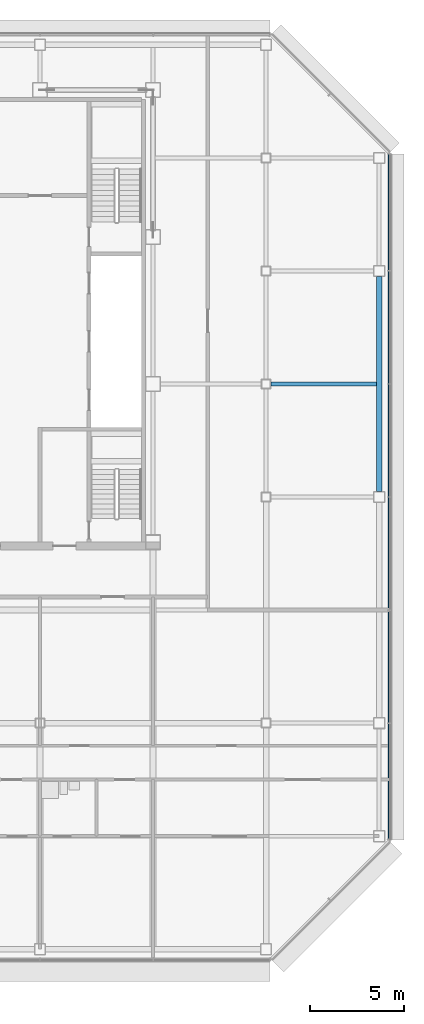
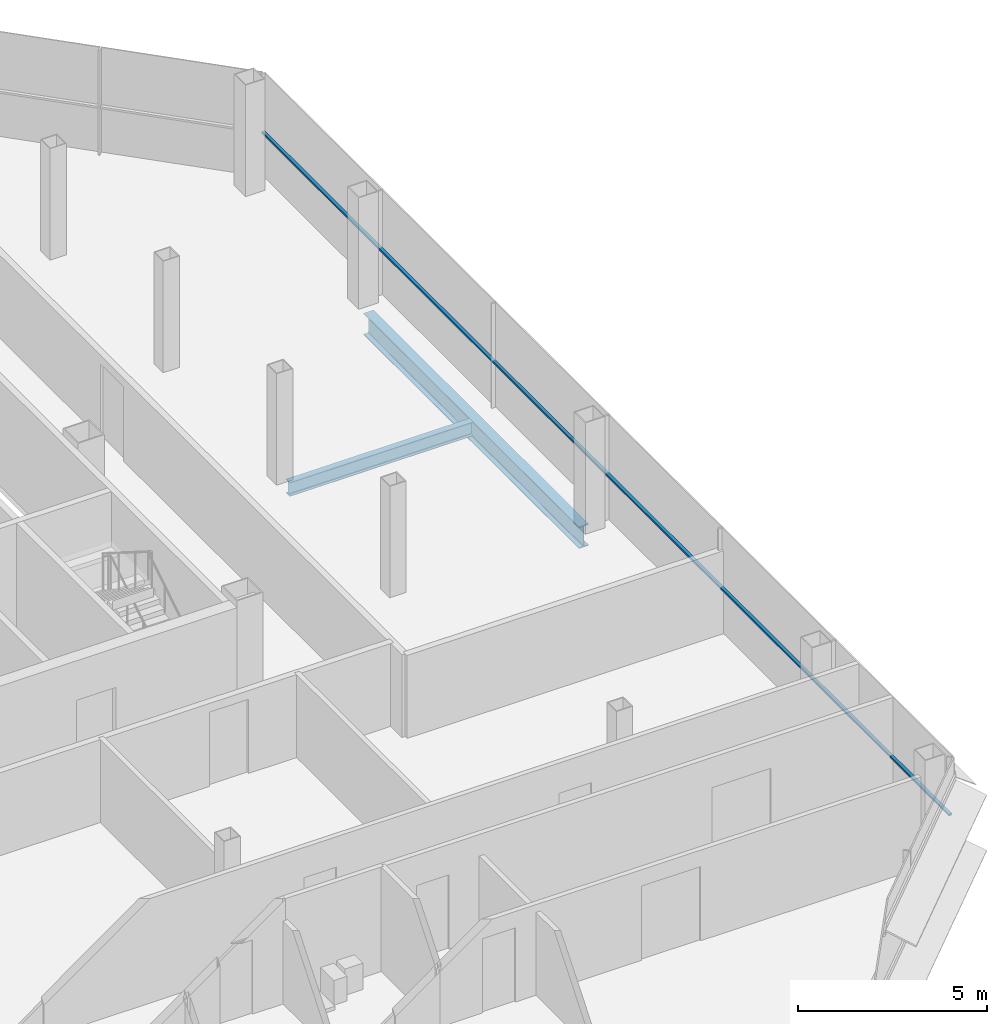
# One storey, part 18 of 28: 2 beams, 1 member, 1 element without a shape of its own.
"""IFC4 building model written with IfcOpenShell, lengths in metres."""

from ifc_helpers import new_model, si_unit, direction, frame, origin, origin_2d, place, context, subcontext, project, spatial, rectangle, i_section, extrude, material, material_profile, profile_set, type_object, element, aggregate, save


model = new_model("IFC4")

# Units and contexts
model_context = context("Model", 3, precision=1e-05, world=origin(), true_north=direction((0.0, 1.0)))
body_context = subcontext(model_context, "Body", "Model", "MODEL_VIEW")
ifc_project = project(units=[si_unit("LENGTHUNIT", "METRE"), si_unit("AREAUNIT", "SQUARE_METRE"), si_unit("VOLUMEUNIT", "CUBIC_METRE"), si_unit("PLANEANGLEUNIT", "RADIAN"), si_unit("MASSUNIT", "GRAM", prefix="KILO")], contexts=[model_context])

# Site, building, storey
site_placement = place(None, origin())
site = spatial("IfcSite", under=ifc_project, at=site_placement, CompositionType="ELEMENT")
building_placement = place(site_placement, origin())
building = spatial("IfcBuilding", under=site, at=building_placement, Name="Sorahane Residences", CompositionType="ELEMENT")
storey_placement = place(building_placement, frame((0.0, 0.0, 254.0)))
storey = spatial("IfcBuildingStorey", under=building, at=storey_placement, Name="L60", CompositionType="ELEMENT", Elevation=254.0)

# Curtain wall, member
ifc_material_1 = material(Name="Dark low-e glass and black anodised aluminium", Category="aluminium")
curtain_wall_type = type_object("IfcCurtainWallType", Name="Curtain wall CW-1 Typical unitised wall", PredefinedType="NOTDEFINED", material=ifc_material_1)
curtain_wall_placement = place(storey_placement, origin())
curtain_wall = element("IfcCurtainWall", 1, at=curtain_wall_placement, inside=storey, type_object=curtain_wall_type, Name="CW-1 curtain wall L60 E1", PredefinedType="NOTDEFINED")
ifc_material_2 = material(Name="Black anodised aluminium", Category="aluminium")
ifc_material_profile_1 = material_profile(ifc_material_2, rectangle(XDim=0.10009765625, YDim=0.06005859375, at=origin_2d()), Name="Curtain wall transom CW-1 black anodised aluminium 60x100")
ifc_profile_set_1 = profile_set([ifc_material_profile_1], Name="Black anodised aluminium")
member_type = type_object("IfcMemberType", Name="Curtain wall transom CW-1 black anodised aluminium 60x100", PredefinedType="USERDEFINED", material=ifc_profile_set_1)
member_placement = place(storey_placement, frame((54.530029296875, 5.801513671875, 1.5), z_axis=(0.0, 1.0, 0.0), x_axis=(-1.0, 0.0, 0.0)))
member = element("IfcMember", 2, at=member_placement, type_object=member_type, Name="CW-1 transom L60 E1", ObjectType="TRANSOM", PredefinedType="USERDEFINED", context=body_context, shape_type="SweptSolid", body=[
    extrude(rectangle(XDim=0.10009765625, YDim=0.06005859375, at=origin_2d()), origin(), (0.0, 0.0, 1.0), 36.39697265625),
])
aggregate(curtain_wall, [member])

# Beams
ifc_material_3 = material(Name="Steel Q355B", Category="steel")
ifc_material_profile_2 = material_profile(ifc_material_3, i_section(OverallWidth=0.199951171875, OverallDepth=0.449951171875, WebThickness=0.009033203125, FlangeThickness=0.013916015625, FilletRadius=0.02001953125, at=origin_2d()), Name="HN 450x200x9x14")
ifc_profile_set_2 = profile_set([ifc_material_profile_2], Name="Steel Q355B")
beam_type_1 = type_object("IfcBeamType", Name="Steel floor beam HN 450x200x9x14 Q355B", PredefinedType="BEAM", material=ifc_profile_set_2)
beam_1_placement = place(storey_placement, frame((48.25, 30.0, -0.405029296875), z_axis=(1.0, 0.0, 0.0), x_axis=(0.0, 1.0, 0.0)))
element("IfcBeam", 3, at=beam_1_placement, inside=storey, type_object=beam_type_1, Name="Beam L60 088", PredefinedType="BEAM", context=body_context, shape_type="SweptSolid", body=[
    extrude(i_section(OverallWidth=0.199951171875, OverallDepth=0.449951171875, WebThickness=0.009033203125, FlangeThickness=0.013916015625, FilletRadius=0.02001953125, at=origin_2d()), origin(), (0.0, 0.0, 1.0), 5.60009765625),
])
ifc_material_4 = material(Name="Steel Q355B", Category="steel")
ifc_material_profile_3 = material_profile(ifc_material_4, i_section(OverallWidth=0.300048828125, OverallDepth=0.699951171875, WebThickness=0.012939453125, FlangeThickness=0.02392578125, FilletRadius=0.028076171875, at=origin_2d()), Name="HN 700x300x13x24")
ifc_profile_set_3 = profile_set([ifc_material_profile_3], Name="Steel Q355B")
beam_type_2 = type_object("IfcBeamType", Name="Steel floor beam HN 700x300x13x24 Q355B", PredefinedType="BEAM", material=ifc_profile_set_3)
beam_2_placement = place(storey_placement, frame((54.0, 24.300048828125, -0.530029296875), z_axis=(0.0, 1.0, 0.0), x_axis=(-1.0, 0.0, 0.0)))
element("IfcBeam", 4, at=beam_2_placement, inside=storey, type_object=beam_type_2, Name="Beam L60 066", PredefinedType="BEAM", context=body_context, shape_type="SweptSolid", body=[
    extrude(i_section(OverallWidth=0.300048828125, OverallDepth=0.699951171875, WebThickness=0.012939453125, FlangeThickness=0.02392578125, FilletRadius=0.028076171875, at=origin_2d()), origin(), (0.0, 0.0, 1.0), 11.39990234375),
])

save(model, "model.ifc")
